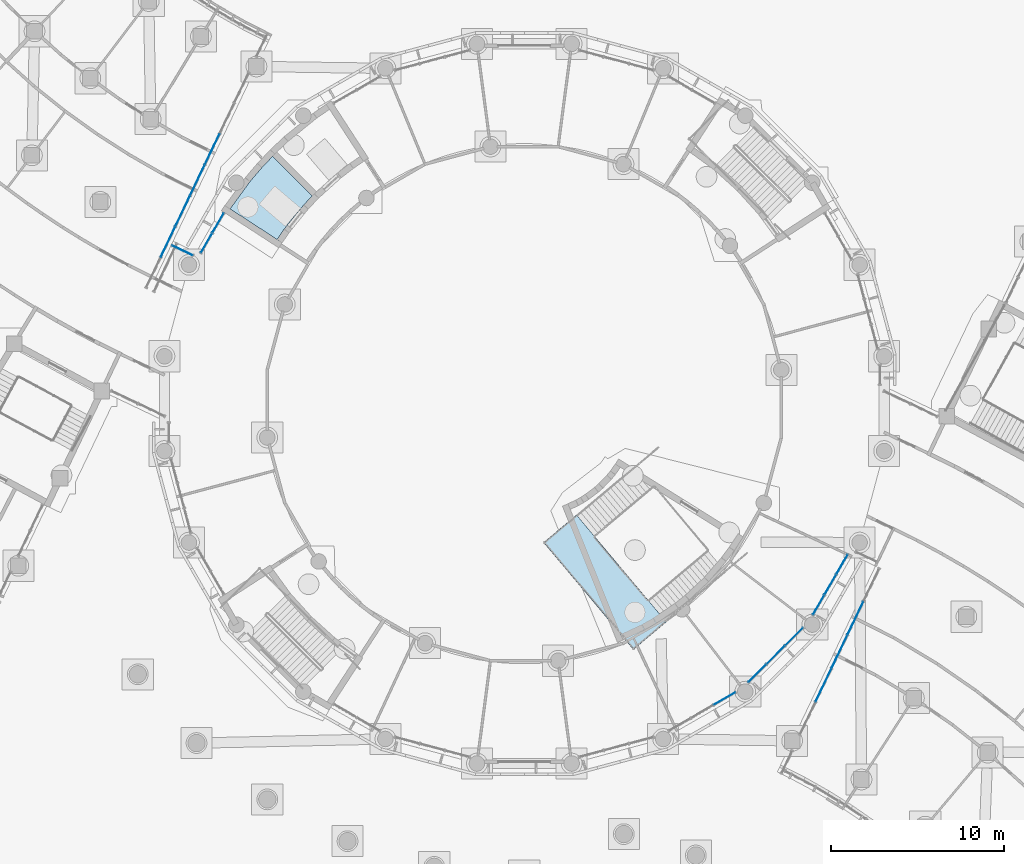
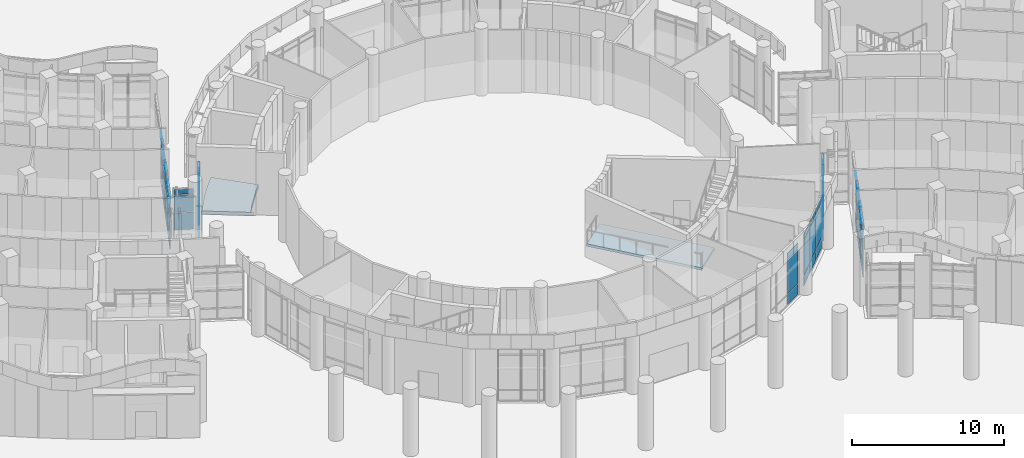
# One storey, part 42 of 146: 58 plates, 2 slabs, 8 elements without a shape of their own.
"""IFC4 building model written with IfcOpenShell, lengths in metres."""

from ifc_helpers import new_model, si_unit, direction, frame, origin, origin_2d, place, context, subcontext, project, spatial, polyline, rectangle, outline, extrude, material, layer, layer_set, type_object, element, aggregate, save


model = new_model("IFC4")

# Units and contexts
model_context = context("Model", 3, precision=1e-05, world=origin(), true_north=direction((0.0, 1.0)))
body_context = subcontext(model_context, "Body", "Model", "MODEL_VIEW")
ifc_project = project(units=[si_unit("LENGTHUNIT", "METRE"), si_unit("AREAUNIT", "SQUARE_METRE"), si_unit("VOLUMEUNIT", "CUBIC_METRE"), si_unit("PLANEANGLEUNIT", "RADIAN"), si_unit("MASSUNIT", "GRAM", prefix="KILO")], contexts=[model_context])

# Site, building, storey
site_placement = place(None, origin())
site = spatial("IfcSite", under=ifc_project, at=site_placement, CompositionType="ELEMENT")
building_placement = place(site_placement, origin())
building = spatial("IfcBuilding", under=site, at=building_placement, Name="Bougainvillea Quay General Hospital", CompositionType="ELEMENT")
storey_placement = place(building_placement, origin())
storey = spatial("IfcBuildingStorey", under=building, at=storey_placement, Name="L00", CompositionType="ELEMENT", Elevation=0.0)

# Curtain wall, plate
ifc_material_1 = material(Name="Aluminium curtain wall system, powder-coated glazed", Category="aluminium")
curtain_wall_type_1 = type_object("IfcCurtainWallType", Name="Unitised curtain wall CW-1422", PredefinedType="NOTDEFINED", material=ifc_material_1)
curtain_wall_1_placement = place(storey_placement, origin())
curtain_wall_1 = element("IfcCurtainWall", 1, at=curtain_wall_1_placement, inside=storey, type_object=curtain_wall_type_1, Name="CW-AE 00", PredefinedType="NOTDEFINED")
ifc_material_2 = material(Name="Insulated aluminium spandrel panel, white", Category="aluminium")
ifc_layer_1 = layer(ifc_material_2, 0.028076171875)
ifc_layer_set_1 = layer_set([ifc_layer_1], Name="Insulated aluminium spandrel panel, white")
plate_type_1 = type_object("IfcPlateType", Name="Insulated spandrel panel white 28", PredefinedType="CURTAIN_PANEL", material=ifc_layer_set_1)
plate_1_placement = place(storey_placement, frame((89.413818359375, 82.866455078125, 3.7802734375), z_axis=(0.0, 0.0, 1.0), x_axis=(-0.902574242771, 0.430534245195, 0.0)))
plate_1 = element("IfcPlate", 2, at=plate_1_placement, type_object=plate_type_1, Name="CW-AE spandrel panel 1.4", PredefinedType="CURTAIN_PANEL", context=body_context, shape_type="SweptSolid", body=[
    extrude(rectangle(XDim=1.301513671875, YDim=0.028076171875, at=origin_2d()), origin(), (0.0, 0.0, 1.0), 0.409912109375),
])

# Curtain wall, plates
curtain_wall_type_2 = type_object("IfcCurtainWallType", Name="Unitised curtain wall CW-1982", PredefinedType="NOTDEFINED", material=ifc_material_1)
curtain_wall_2_placement = place(storey_placement, origin())
curtain_wall_2 = element("IfcCurtainWall", 3, at=curtain_wall_2_placement, inside=storey, type_object=curtain_wall_type_2, Name="CW-AE 00", PredefinedType="NOTDEFINED")
plate_2_placement = place(storey_placement, frame((88.58203125, 83.35498046875, 0.06005859375), z_axis=(0.0, 0.0, 1.0), x_axis=(0.430563040838, 0.902560506484, 0.0)))
plate_2 = element("IfcPlate", 4, at=plate_2_placement, type_object=plate_type_1, Name="CW-AE spandrel panel 2.1", PredefinedType="CURTAIN_PANEL", context=body_context, shape_type="SweptSolid", body=[
    extrude(rectangle(XDim=1.92138671875, YDim=0.028076171875, at=origin_2d()), origin(), (0.0, 0.0, 1.0), 0.81005859375),
])
plate_3_placement = place(storey_placement, frame((88.58203125, 83.35498046875, 3.7802734375), z_axis=(0.0, 0.0, 1.0), x_axis=(0.430563040838, 0.902560506484, 0.0)))
plate_3 = element("IfcPlate", 5, at=plate_3_placement, type_object=plate_type_1, Name="CW-AE spandrel panel 2.4", PredefinedType="CURTAIN_PANEL", context=body_context, shape_type="SweptSolid", body=[
    extrude(rectangle(XDim=1.92138671875, YDim=0.028076171875, at=origin_2d()), origin(), (0.0, 0.0, 1.0), 0.409912109375),
])
plate_4_placement = place(storey_placement, frame((89.43505859375, 85.143310546875, 0.06005859375), z_axis=(0.0, 0.0, 1.0), x_axis=(0.430563040838, 0.902560506484, 0.0)))
plate_4 = element("IfcPlate", 6, at=plate_4_placement, type_object=plate_type_1, Name="CW-AE spandrel panel 3.1", PredefinedType="CURTAIN_PANEL", context=body_context, shape_type="SweptSolid", body=[
    extrude(rectangle(XDim=1.92138671875, YDim=0.028076171875, at=origin_2d()), origin(), (0.0, 0.0, 1.0), 0.81005859375),
])
plate_5_placement = place(storey_placement, frame((89.43505859375, 85.143310546875, 3.7802734375), z_axis=(0.0, 0.0, 1.0), x_axis=(0.430563040838, 0.902560506484, 0.0)))
plate_5 = element("IfcPlate", 7, at=plate_5_placement, type_object=plate_type_1, Name="CW-AE spandrel panel 3.4", PredefinedType="CURTAIN_PANEL", context=body_context, shape_type="SweptSolid", body=[
    extrude(rectangle(XDim=1.92138671875, YDim=0.028076171875, at=origin_2d()), origin(), (0.0, 0.0, 1.0), 0.409912109375),
])
plate_6_placement = place(storey_placement, frame((90.2880859375, 86.931640625, 0.06005859375), z_axis=(0.0, 0.0, 1.0), x_axis=(0.430563040838, 0.902560506484, 0.0)))
plate_6 = element("IfcPlate", 8, at=plate_6_placement, type_object=plate_type_1, Name="CW-AE spandrel panel 4.1", PredefinedType="CURTAIN_PANEL", context=body_context, shape_type="SweptSolid", body=[
    extrude(rectangle(XDim=1.92138671875, YDim=0.028076171875, at=origin_2d()), origin(), (0.0, 0.0, 1.0), 0.81005859375),
])
plate_7_placement = place(storey_placement, frame((90.2880859375, 86.931640625, 3.7802734375), z_axis=(0.0, 0.0, 1.0), x_axis=(0.430563040838, 0.902560506484, 0.0)))
plate_7 = element("IfcPlate", 9, at=plate_7_placement, type_object=plate_type_1, Name="CW-AE spandrel panel 4.4", PredefinedType="CURTAIN_PANEL", context=body_context, shape_type="SweptSolid", body=[
    extrude(rectangle(XDim=1.92138671875, YDim=0.028076171875, at=origin_2d()), origin(), (0.0, 0.0, 1.0), 0.409912109375),
])
plate_8_placement = place(storey_placement, frame((91.14111328125, 88.7197265625, 0.06005859375), z_axis=(0.0, 0.0, 1.0), x_axis=(0.430563040838, 0.902560506484, 0.0)))
plate_8 = element("IfcPlate", 10, at=plate_8_placement, type_object=plate_type_1, Name="CW-AE spandrel panel 5.1", PredefinedType="CURTAIN_PANEL", context=body_context, shape_type="SweptSolid", body=[
    extrude(rectangle(XDim=1.92138671875, YDim=0.028076171875, at=origin_2d()), origin(), (0.0, 0.0, 1.0), 0.81005859375),
])
plate_9_placement = place(storey_placement, frame((91.14111328125, 88.7197265625, 3.7802734375), z_axis=(0.0, 0.0, 1.0), x_axis=(0.430563040838, 0.902560506484, 0.0)))
plate_9 = element("IfcPlate", 11, at=plate_9_placement, type_object=plate_type_1, Name="CW-AE spandrel panel 5.4", PredefinedType="CURTAIN_PANEL", context=body_context, shape_type="SweptSolid", body=[
    extrude(rectangle(XDim=1.92138671875, YDim=0.028076171875, at=origin_2d()), origin(), (0.0, 0.0, 1.0), 0.409912109375),
])

curtain_wall_type_3 = type_object("IfcCurtainWallType", Name="Unitised curtain wall CW-2147", PredefinedType="NOTDEFINED", material=ifc_material_1)
curtain_wall_3_placement = place(storey_placement, origin())
curtain_wall_3 = element("IfcCurtainWall", 12, at=curtain_wall_3_placement, inside=storey, type_object=curtain_wall_type_3, Name="CW-AE 00", PredefinedType="NOTDEFINED")
plate_10_placement = place(storey_placement, frame((128.35986328125, 61.5888671875, 0.06005859375), z_axis=(0.0, 0.0, 1.0), x_axis=(-0.430530445105, -0.902576055431, 0.0)))
plate_10 = element("IfcPlate", 13, at=plate_10_placement, type_object=plate_type_1, Name="CW-AE spandrel panel 2.1", PredefinedType="CURTAIN_PANEL", context=body_context, shape_type="SweptSolid", body=[
    extrude(rectangle(XDim=2.0859375, YDim=0.028076171875, at=origin_2d()), origin(), (0.0, 0.0, 1.0), 0.81005859375),
])
plate_11_placement = place(storey_placement, frame((128.35986328125, 61.5888671875, 3.7802734375), z_axis=(0.0, 0.0, 1.0), x_axis=(-0.430530445105, -0.902576055431, 0.0)))
plate_11 = element("IfcPlate", 14, at=plate_11_placement, type_object=plate_type_1, Name="CW-AE spandrel panel 2.4", PredefinedType="CURTAIN_PANEL", context=body_context, shape_type="SweptSolid", body=[
    extrude(rectangle(XDim=2.0859375, YDim=0.028076171875, at=origin_2d()), origin(), (0.0, 0.0, 1.0), 0.409912109375),
])
plate_12_placement = place(storey_placement, frame((127.435791015625, 59.65185546875, 0.06005859375), z_axis=(0.0, 0.0, 1.0), x_axis=(-0.430530445105, -0.902576055431, 0.0)))
plate_12 = element("IfcPlate", 15, at=plate_12_placement, type_object=plate_type_1, Name="CW-AE spandrel panel 3.1", PredefinedType="CURTAIN_PANEL", context=body_context, shape_type="SweptSolid", body=[
    extrude(rectangle(XDim=2.0859375, YDim=0.028076171875, at=origin_2d()), origin(), (0.0, 0.0, 1.0), 0.81005859375),
])
plate_13_placement = place(storey_placement, frame((127.435791015625, 59.65185546875, 3.7802734375), z_axis=(0.0, 0.0, 1.0), x_axis=(-0.430530445105, -0.902576055431, 0.0)))
plate_13 = element("IfcPlate", 16, at=plate_13_placement, type_object=plate_type_1, Name="CW-AE spandrel panel 3.4", PredefinedType="CURTAIN_PANEL", context=body_context, shape_type="SweptSolid", body=[
    extrude(rectangle(XDim=2.0859375, YDim=0.028076171875, at=origin_2d()), origin(), (0.0, 0.0, 1.0), 0.409912109375),
])
plate_14_placement = place(storey_placement, frame((126.511962890625, 57.715087890625, 0.06005859375), z_axis=(0.0, 0.0, 1.0), x_axis=(-0.430530445105, -0.902576055431, 0.0)))
plate_14 = element("IfcPlate", 17, at=plate_14_placement, type_object=plate_type_1, Name="CW-AE spandrel panel 4.1", PredefinedType="CURTAIN_PANEL", context=body_context, shape_type="SweptSolid", body=[
    extrude(rectangle(XDim=2.0859375, YDim=0.028076171875, at=origin_2d()), origin(), (0.0, 0.0, 1.0), 0.81005859375),
])
plate_15_placement = place(storey_placement, frame((126.511962890625, 57.715087890625, 3.7802734375), z_axis=(0.0, 0.0, 1.0), x_axis=(-0.430530445105, -0.902576055431, 0.0)))
plate_15 = element("IfcPlate", 18, at=plate_15_placement, type_object=plate_type_1, Name="CW-AE spandrel panel 4.4", PredefinedType="CURTAIN_PANEL", context=body_context, shape_type="SweptSolid", body=[
    extrude(rectangle(XDim=2.0859375, YDim=0.028076171875, at=origin_2d()), origin(), (0.0, 0.0, 1.0), 0.409912109375),
])

curtain_wall_type_4 = type_object("IfcCurtainWallType", Name="Unitised curtain wall CW-1372", PredefinedType="NOTDEFINED", material=ifc_material_1)
curtain_wall_4_placement = place(storey_placement, origin())
curtain_wall_4 = element("IfcCurtainWall", 19, at=curtain_wall_4_placement, inside=storey, type_object=curtain_wall_type_4, Name="CW-D 00", PredefinedType="NOTDEFINED")
plate_16_placement = place(storey_placement, frame((91.48486328125, 84.456298828125, 0.06005859375), z_axis=(0.0, 0.0, 1.0), x_axis=(-0.499961526253, -0.866047615473, 0.0)))
plate_16 = element("IfcPlate", 20, at=plate_16_placement, type_object=plate_type_1, Name="CW-D spandrel panel 1.1", PredefinedType="CURTAIN_PANEL", context=body_context, shape_type="SweptSolid", body=[
    extrude(rectangle(XDim=1.281982421875, YDim=0.028076171875, at=origin_2d()), origin(), (0.0, 0.0, 1.0), 0.81005859375),
])
plate_17_placement = place(storey_placement, frame((91.48486328125, 84.456298828125, 3.7802734375), z_axis=(0.0, 0.0, 1.0), x_axis=(-0.499961526253, -0.866047615473, 0.0)))
plate_17 = element("IfcPlate", 21, at=plate_17_placement, type_object=plate_type_1, Name="CW-D spandrel panel 1.3", PredefinedType="CURTAIN_PANEL", context=body_context, shape_type="SweptSolid", body=[
    extrude(rectangle(XDim=1.281982421875, YDim=0.028076171875, at=origin_2d()), origin(), (0.0, 0.0, 1.0), 0.409912109375),
])
plate_18_placement = place(storey_placement, frame((90.81396484375, 83.294189453125, 0.06005859375), z_axis=(0.0, 0.0, 1.0), x_axis=(-0.499961526253, -0.866047615473, 0.0)))
plate_18 = element("IfcPlate", 22, at=plate_18_placement, type_object=plate_type_1, Name="CW-D spandrel panel 2.1", PredefinedType="CURTAIN_PANEL", context=body_context, shape_type="SweptSolid", body=[
    extrude(rectangle(XDim=1.281982421875, YDim=0.028076171875, at=origin_2d()), origin(), (0.0, 0.0, 1.0), 0.81005859375),
])
plate_19_placement = place(storey_placement, frame((90.81396484375, 83.294189453125, 3.7802734375), z_axis=(0.0, 0.0, 1.0), x_axis=(-0.499961526253, -0.866047615473, 0.0)))
plate_19 = element("IfcPlate", 23, at=plate_19_placement, type_object=plate_type_1, Name="CW-D spandrel panel 2.3", PredefinedType="CURTAIN_PANEL", context=body_context, shape_type="SweptSolid", body=[
    extrude(rectangle(XDim=1.281982421875, YDim=0.028076171875, at=origin_2d()), origin(), (0.0, 0.0, 1.0), 0.409912109375),
])

curtain_wall_type_5 = type_object("IfcCurtainWallType", Name="Unitised curtain wall CW-1515", PredefinedType="NOTDEFINED", material=ifc_material_1)
curtain_wall_5_placement = place(storey_placement, origin())
curtain_wall_5 = element("IfcCurtainWall", 24, at=curtain_wall_5_placement, inside=storey, type_object=curtain_wall_type_5, Name="CW-D 00", PredefinedType="NOTDEFINED")
plate_20_placement = place(storey_placement, frame((120.783203125, 56.935546875, 0.06005859375), z_axis=(0.0, 0.0, 1.0), x_axis=(0.866045865692, 0.499964557262, 0.0)))
plate_20 = element("IfcPlate", 25, at=plate_20_placement, type_object=plate_type_1, Name="CW-D spandrel panel 3.1", PredefinedType="CURTAIN_PANEL", context=body_context, shape_type="SweptSolid", body=[
    extrude(rectangle(XDim=1.424072265625, YDim=0.028076171875, at=origin_2d()), origin(), (0.0, 0.0, 1.0), 0.81005859375),
])
plate_21_placement = place(storey_placement, frame((120.783203125, 56.935546875, 3.7802734375), z_axis=(0.0, 0.0, 1.0), x_axis=(0.866045865692, 0.499964557262, 0.0)))
plate_21 = element("IfcPlate", 26, at=plate_21_placement, type_object=plate_type_1, Name="CW-D spandrel panel 3.3", PredefinedType="CURTAIN_PANEL", context=body_context, shape_type="SweptSolid", body=[
    extrude(rectangle(XDim=1.424072265625, YDim=0.028076171875, at=origin_2d()), origin(), (0.0, 0.0, 1.0), 0.409912109375),
])

curtain_wall_type_6 = type_object("IfcCurtainWallType", Name="Unitised curtain wall CW-1514", PredefinedType="NOTDEFINED", material=ifc_material_1)
curtain_wall_6_placement = place(storey_placement, origin())
curtain_wall_6 = element("IfcCurtainWall", 27, at=curtain_wall_6_placement, inside=storey, type_object=curtain_wall_type_6, Name="CW-D 00", PredefinedType="NOTDEFINED")
plate_22_placement = place(storey_placement, frame((122.685302734375, 58.39501953125, 0.06005859375), z_axis=(0.0, 0.0, 1.0), x_axis=(0.707106781187, 0.707106781187, 0.0)))
plate_22 = element("IfcPlate", 28, at=plate_22_placement, type_object=plate_type_1, Name="CW-D spandrel panel 1.1", PredefinedType="CURTAIN_PANEL", context=body_context, shape_type="SweptSolid", body=[
    extrude(rectangle(XDim=1.423828125, YDim=0.028076171875, at=origin_2d()), origin(), (0.0, 0.0, 1.0), 0.81005859375),
])
plate_23_placement = place(storey_placement, frame((122.685302734375, 58.39501953125, 3.7802734375), z_axis=(0.0, 0.0, 1.0), x_axis=(0.707106781187, 0.707106781187, 0.0)))
plate_23 = element("IfcPlate", 29, at=plate_23_placement, type_object=plate_type_1, Name="CW-D spandrel panel 1.3", PredefinedType="CURTAIN_PANEL", context=body_context, shape_type="SweptSolid", body=[
    extrude(rectangle(XDim=1.423828125, YDim=0.028076171875, at=origin_2d()), origin(), (0.0, 0.0, 1.0), 0.409912109375),
])
plate_24_placement = place(storey_placement, frame((123.7451171875, 59.454833984375, 0.06005859375), z_axis=(0.0, 0.0, 1.0), x_axis=(0.707106781187, 0.707106781187, 0.0)))
plate_24 = element("IfcPlate", 30, at=plate_24_placement, type_object=plate_type_1, Name="CW-D spandrel panel 2.1", PredefinedType="CURTAIN_PANEL", context=body_context, shape_type="SweptSolid", body=[
    extrude(rectangle(XDim=1.453857421875, YDim=0.028076171875, at=origin_2d()), origin(), (0.0, 0.0, 1.0), 0.81005859375),
])
plate_25_placement = place(storey_placement, frame((123.7451171875, 59.454833984375, 3.7802734375), z_axis=(0.0, 0.0, 1.0), x_axis=(0.707106781187, 0.707106781187, 0.0)))
plate_25 = element("IfcPlate", 31, at=plate_25_placement, type_object=plate_type_1, Name="CW-D spandrel panel 2.3", PredefinedType="CURTAIN_PANEL", context=body_context, shape_type="SweptSolid", body=[
    extrude(rectangle(XDim=1.453857421875, YDim=0.028076171875, at=origin_2d()), origin(), (0.0, 0.0, 1.0), 0.409912109375),
])
plate_26_placement = place(storey_placement, frame((124.80517578125, 60.5146484375, 0.06005859375), z_axis=(0.0, 0.0, 1.0), x_axis=(0.707106781187, 0.707106781187, 0.0)))
plate_26 = element("IfcPlate", 32, at=plate_26_placement, type_object=plate_type_1, Name="CW-D spandrel panel 3.1", PredefinedType="CURTAIN_PANEL", context=body_context, shape_type="SweptSolid", body=[
    extrude(rectangle(XDim=1.423828125, YDim=0.028076171875, at=origin_2d()), origin(), (0.0, 0.0, 1.0), 0.81005859375),
])
plate_27_placement = place(storey_placement, frame((124.80517578125, 60.5146484375, 3.7802734375), z_axis=(0.0, 0.0, 1.0), x_axis=(0.707106781187, 0.707106781187, 0.0)))
plate_27 = element("IfcPlate", 33, at=plate_27_placement, type_object=plate_type_1, Name="CW-D spandrel panel 3.3", PredefinedType="CURTAIN_PANEL", context=body_context, shape_type="SweptSolid", body=[
    extrude(rectangle(XDim=1.423828125, YDim=0.028076171875, at=origin_2d()), origin(), (0.0, 0.0, 1.0), 0.409912109375),
])

curtain_wall_type_7 = type_object("IfcCurtainWallType", Name="Unitised curtain wall CW-1373", PredefinedType="NOTDEFINED", material=ifc_material_1)
curtain_wall_7_placement = place(storey_placement, origin())
curtain_wall_7 = element("IfcCurtainWall", 34, at=curtain_wall_7_placement, inside=storey, type_object=curtain_wall_type_7, Name="CW-D 00", PredefinedType="NOTDEFINED")
plate_28_placement = place(storey_placement, frame((126.22900390625, 62.355224609375, 0.06005859375), z_axis=(0.0, 0.0, 1.0), x_axis=(0.499961526253, 0.866047615473, 0.0)))
plate_28 = element("IfcPlate", 35, at=plate_28_placement, type_object=plate_type_1, Name="CW-D spandrel panel 1.1", PredefinedType="CURTAIN_PANEL", context=body_context, shape_type="SweptSolid", body=[
    extrude(rectangle(XDim=1.2822265625, YDim=0.028076171875, at=origin_2d()), origin(), (0.0, 0.0, 1.0), 0.81005859375),
])
plate_29_placement = place(storey_placement, frame((126.22900390625, 62.355224609375, 3.7802734375), z_axis=(0.0, 0.0, 1.0), x_axis=(0.499961526253, 0.866047615473, 0.0)))
plate_29 = element("IfcPlate", 36, at=plate_29_placement, type_object=plate_type_1, Name="CW-D spandrel panel 1.3", PredefinedType="CURTAIN_PANEL", context=body_context, shape_type="SweptSolid", body=[
    extrude(rectangle(XDim=1.2822265625, YDim=0.028076171875, at=origin_2d()), origin(), (0.0, 0.0, 1.0), 0.409912109375),
])
plate_30_placement = place(storey_placement, frame((126.907470703125, 63.530517578125, 0.06005859375), z_axis=(0.0, 0.0, 1.0), x_axis=(0.499961526253, 0.866047615473, 0.0)))
plate_30 = element("IfcPlate", 37, at=plate_30_placement, type_object=plate_type_1, Name="CW-D spandrel panel 2.1", PredefinedType="CURTAIN_PANEL", context=body_context, shape_type="SweptSolid", body=[
    extrude(rectangle(XDim=1.31201171875, YDim=0.028076171875, at=origin_2d()), origin(), (0.0, 0.0, 1.0), 0.81005859375),
])
plate_31_placement = place(storey_placement, frame((126.907470703125, 63.530517578125, 3.7802734375), z_axis=(0.0, 0.0, 1.0), x_axis=(0.499961526253, 0.866047615473, 0.0)))
plate_31 = element("IfcPlate", 38, at=plate_31_placement, type_object=plate_type_1, Name="CW-D spandrel panel 2.3", PredefinedType="CURTAIN_PANEL", context=body_context, shape_type="SweptSolid", body=[
    extrude(rectangle(XDim=1.31201171875, YDim=0.028076171875, at=origin_2d()), origin(), (0.0, 0.0, 1.0), 0.409912109375),
])
plate_32_placement = place(storey_placement, frame((127.5859375, 64.705810546875, 0.06005859375), z_axis=(0.0, 0.0, 1.0), x_axis=(0.499961526253, 0.866047615473, 0.0)))
plate_32 = element("IfcPlate", 39, at=plate_32_placement, type_object=plate_type_1, Name="CW-D spandrel panel 3.1", PredefinedType="CURTAIN_PANEL", context=body_context, shape_type="SweptSolid", body=[
    extrude(rectangle(XDim=1.2822265625, YDim=0.028076171875, at=origin_2d()), origin(), (0.0, 0.0, 1.0), 0.81005859375),
])
plate_33_placement = place(storey_placement, frame((127.5859375, 64.705810546875, 3.7802734375), z_axis=(0.0, 0.0, 1.0), x_axis=(0.499961526253, 0.866047615473, 0.0)))
plate_33 = element("IfcPlate", 40, at=plate_33_placement, type_object=plate_type_1, Name="CW-D spandrel panel 3.3", PredefinedType="CURTAIN_PANEL", context=body_context, shape_type="SweptSolid", body=[
    extrude(rectangle(XDim=1.2822265625, YDim=0.028076171875, at=origin_2d()), origin(), (0.0, 0.0, 1.0), 0.409912109375),
])

# Plate
ifc_material_3 = material(Name="Low-e laminated glass, solar control", Category="glass")
ifc_layer_2 = layer(ifc_material_3, 0.028076171875)
ifc_layer_set_2 = layer_set([ifc_layer_2], Name="Low-e laminated glass, solar control")
plate_type_2 = type_object("IfcPlateType", Name="Low-e laminated vision glass 28", PredefinedType="CURTAIN_PANEL", material=ifc_layer_set_2)
plate_34_placement = place(storey_placement, frame((89.413818359375, 82.866455078125, 0.93017578125), z_axis=(0.0, 0.0, 1.0), x_axis=(-0.902574242771, 0.430534245195, 0.0)))
plate_34 = element("IfcPlate", 41, at=plate_34_placement, type_object=plate_type_2, Name="CW-AE vision glass panel 1.2", PredefinedType="CURTAIN_PANEL", context=body_context, shape_type="SweptSolid", body=[
    extrude(rectangle(XDim=1.301513671875, YDim=0.028076171875, at=origin_2d()), origin(), (0.0, 0.0, 1.0), 1.364990234375),
])

plate_35_placement = place(storey_placement, frame((89.413818359375, 82.866455078125, 2.35498046875), z_axis=(0.0, 0.0, 1.0), x_axis=(-0.902574242771, 0.430534245195, 0.0)))
plate_35 = element("IfcPlate", 42, at=plate_35_placement, type_object=plate_type_2, Name="CW-AE vision glass panel 1.3", PredefinedType="CURTAIN_PANEL", context=body_context, shape_type="SweptSolid", body=[
    extrude(rectangle(XDim=1.301513671875, YDim=0.028076171875, at=origin_2d()), origin(), (0.0, 0.0, 1.0), 1.364990234375),
])

aggregate(curtain_wall_1, [plate_34, plate_35, plate_1])

plate_36_placement = place(storey_placement, frame((88.58203125, 83.35498046875, 0.93017578125), z_axis=(0.0, 0.0, 1.0), x_axis=(0.430563040838, 0.902560506484, 0.0)))
plate_36 = element("IfcPlate", 43, at=plate_36_placement, type_object=plate_type_2, Name="CW-AE vision glass panel 2.2", PredefinedType="CURTAIN_PANEL", context=body_context, shape_type="SweptSolid", body=[
    extrude(rectangle(XDim=1.92138671875, YDim=0.028076171875, at=origin_2d()), origin(), (0.0, 0.0, 1.0), 1.364990234375),
])

plate_37_placement = place(storey_placement, frame((88.58203125, 83.35498046875, 2.35498046875), z_axis=(0.0, 0.0, 1.0), x_axis=(0.430563040838, 0.902560506484, 0.0)))
plate_37 = element("IfcPlate", 44, at=plate_37_placement, type_object=plate_type_2, Name="CW-AE vision glass panel 2.3", PredefinedType="CURTAIN_PANEL", context=body_context, shape_type="SweptSolid", body=[
    extrude(rectangle(XDim=1.92138671875, YDim=0.028076171875, at=origin_2d()), origin(), (0.0, 0.0, 1.0), 1.364990234375),
])

plate_38_placement = place(storey_placement, frame((89.43505859375, 85.143310546875, 0.93017578125), z_axis=(0.0, 0.0, 1.0), x_axis=(0.430563040838, 0.902560506484, 0.0)))
plate_38 = element("IfcPlate", 45, at=plate_38_placement, type_object=plate_type_2, Name="CW-AE vision glass panel 3.2", PredefinedType="CURTAIN_PANEL", context=body_context, shape_type="SweptSolid", body=[
    extrude(rectangle(XDim=1.92138671875, YDim=0.028076171875, at=origin_2d()), origin(), (0.0, 0.0, 1.0), 1.364990234375),
])

plate_39_placement = place(storey_placement, frame((89.43505859375, 85.143310546875, 2.35498046875), z_axis=(0.0, 0.0, 1.0), x_axis=(0.430563040838, 0.902560506484, 0.0)))
plate_39 = element("IfcPlate", 46, at=plate_39_placement, type_object=plate_type_2, Name="CW-AE vision glass panel 3.3", PredefinedType="CURTAIN_PANEL", context=body_context, shape_type="SweptSolid", body=[
    extrude(rectangle(XDim=1.92138671875, YDim=0.028076171875, at=origin_2d()), origin(), (0.0, 0.0, 1.0), 1.364990234375),
])

plate_40_placement = place(storey_placement, frame((90.2880859375, 86.931640625, 0.93017578125), z_axis=(0.0, 0.0, 1.0), x_axis=(0.430563040838, 0.902560506484, 0.0)))
plate_40 = element("IfcPlate", 47, at=plate_40_placement, type_object=plate_type_2, Name="CW-AE vision glass panel 4.2", PredefinedType="CURTAIN_PANEL", context=body_context, shape_type="SweptSolid", body=[
    extrude(rectangle(XDim=1.92138671875, YDim=0.028076171875, at=origin_2d()), origin(), (0.0, 0.0, 1.0), 1.364990234375),
])

plate_41_placement = place(storey_placement, frame((90.2880859375, 86.931640625, 2.35498046875), z_axis=(0.0, 0.0, 1.0), x_axis=(0.430563040838, 0.902560506484, 0.0)))
plate_41 = element("IfcPlate", 48, at=plate_41_placement, type_object=plate_type_2, Name="CW-AE vision glass panel 4.3", PredefinedType="CURTAIN_PANEL", context=body_context, shape_type="SweptSolid", body=[
    extrude(rectangle(XDim=1.92138671875, YDim=0.028076171875, at=origin_2d()), origin(), (0.0, 0.0, 1.0), 1.364990234375),
])

plate_42_placement = place(storey_placement, frame((91.14111328125, 88.7197265625, 0.93017578125), z_axis=(0.0, 0.0, 1.0), x_axis=(0.430563040838, 0.902560506484, 0.0)))
plate_42 = element("IfcPlate", 49, at=plate_42_placement, type_object=plate_type_2, Name="CW-AE vision glass panel 5.2", PredefinedType="CURTAIN_PANEL", context=body_context, shape_type="SweptSolid", body=[
    extrude(rectangle(XDim=1.92138671875, YDim=0.028076171875, at=origin_2d()), origin(), (0.0, 0.0, 1.0), 1.364990234375),
])

plate_43_placement = place(storey_placement, frame((91.14111328125, 88.7197265625, 2.35498046875), z_axis=(0.0, 0.0, 1.0), x_axis=(0.430563040838, 0.902560506484, 0.0)))
plate_43 = element("IfcPlate", 50, at=plate_43_placement, type_object=plate_type_2, Name="CW-AE vision glass panel 5.3", PredefinedType="CURTAIN_PANEL", context=body_context, shape_type="SweptSolid", body=[
    extrude(rectangle(XDim=1.92138671875, YDim=0.028076171875, at=origin_2d()), origin(), (0.0, 0.0, 1.0), 1.364990234375),
])

aggregate(curtain_wall_2, [plate_2, plate_36, plate_37, plate_3, plate_4, plate_38, plate_39, plate_5, plate_6, plate_40, plate_41, plate_7, plate_8, plate_42, plate_43, plate_9])

plate_44_placement = place(storey_placement, frame((128.35986328125, 61.5888671875, 0.93017578125), z_axis=(0.0, 0.0, 1.0), x_axis=(-0.430530445105, -0.902576055431, 0.0)))
plate_44 = element("IfcPlate", 51, at=plate_44_placement, type_object=plate_type_2, Name="CW-AE vision glass panel 2.2", PredefinedType="CURTAIN_PANEL", context=body_context, shape_type="SweptSolid", body=[
    extrude(rectangle(XDim=2.0859375, YDim=0.028076171875, at=origin_2d()), origin(), (0.0, 0.0, 1.0), 1.364990234375),
])

plate_45_placement = place(storey_placement, frame((128.35986328125, 61.5888671875, 2.35498046875), z_axis=(0.0, 0.0, 1.0), x_axis=(-0.430530445105, -0.902576055431, 0.0)))
plate_45 = element("IfcPlate", 52, at=plate_45_placement, type_object=plate_type_2, Name="CW-AE vision glass panel 2.3", PredefinedType="CURTAIN_PANEL", context=body_context, shape_type="SweptSolid", body=[
    extrude(rectangle(XDim=2.0859375, YDim=0.028076171875, at=origin_2d()), origin(), (0.0, 0.0, 1.0), 1.364990234375),
])

plate_46_placement = place(storey_placement, frame((127.435791015625, 59.65185546875, 0.93017578125), z_axis=(0.0, 0.0, 1.0), x_axis=(-0.430530445105, -0.902576055431, 0.0)))
plate_46 = element("IfcPlate", 53, at=plate_46_placement, type_object=plate_type_2, Name="CW-AE vision glass panel 3.2", PredefinedType="CURTAIN_PANEL", context=body_context, shape_type="SweptSolid", body=[
    extrude(rectangle(XDim=2.0859375, YDim=0.028076171875, at=origin_2d()), origin(), (0.0, 0.0, 1.0), 1.364990234375),
])

plate_47_placement = place(storey_placement, frame((127.435791015625, 59.65185546875, 2.35498046875), z_axis=(0.0, 0.0, 1.0), x_axis=(-0.430530445105, -0.902576055431, 0.0)))
plate_47 = element("IfcPlate", 54, at=plate_47_placement, type_object=plate_type_2, Name="CW-AE vision glass panel 3.3", PredefinedType="CURTAIN_PANEL", context=body_context, shape_type="SweptSolid", body=[
    extrude(rectangle(XDim=2.0859375, YDim=0.028076171875, at=origin_2d()), origin(), (0.0, 0.0, 1.0), 1.364990234375),
])

plate_48_placement = place(storey_placement, frame((126.511962890625, 57.715087890625, 0.93017578125), z_axis=(0.0, 0.0, 1.0), x_axis=(-0.430530445105, -0.902576055431, 0.0)))
plate_48 = element("IfcPlate", 55, at=plate_48_placement, type_object=plate_type_2, Name="CW-AE vision glass panel 4.2", PredefinedType="CURTAIN_PANEL", context=body_context, shape_type="SweptSolid", body=[
    extrude(rectangle(XDim=2.0859375, YDim=0.028076171875, at=origin_2d()), origin(), (0.0, 0.0, 1.0), 1.364990234375),
])

plate_49_placement = place(storey_placement, frame((126.511962890625, 57.715087890625, 2.35498046875), z_axis=(0.0, 0.0, 1.0), x_axis=(-0.430530445105, -0.902576055431, 0.0)))
plate_49 = element("IfcPlate", 56, at=plate_49_placement, type_object=plate_type_2, Name="CW-AE vision glass panel 4.3", PredefinedType="CURTAIN_PANEL", context=body_context, shape_type="SweptSolid", body=[
    extrude(rectangle(XDim=2.0859375, YDim=0.028076171875, at=origin_2d()), origin(), (0.0, 0.0, 1.0), 1.364990234375),
])

aggregate(curtain_wall_3, [plate_10, plate_44, plate_45, plate_11, plate_12, plate_46, plate_47, plate_13, plate_14, plate_48, plate_49, plate_15])

plate_50_placement = place(storey_placement, frame((91.48486328125, 84.456298828125, 0.929931640625), z_axis=(0.0, 0.0, 1.0), x_axis=(-0.499961526253, -0.866047615473, 0.0)))
plate_50 = element("IfcPlate", 57, at=plate_50_placement, type_object=plate_type_2, Name="CW-D vision glass panel 1.2", PredefinedType="CURTAIN_PANEL", context=body_context, shape_type="SweptSolid", body=[
    extrude(rectangle(XDim=1.281982421875, YDim=0.028076171875, at=origin_2d()), origin(), (0.0, 0.0, 1.0), 2.7900390625),
])

plate_51_placement = place(storey_placement, frame((90.81396484375, 83.294189453125, 0.929931640625), z_axis=(0.0, 0.0, 1.0), x_axis=(-0.499961526253, -0.866047615473, 0.0)))
plate_51 = element("IfcPlate", 58, at=plate_51_placement, type_object=plate_type_2, Name="CW-D vision glass panel 2.2", PredefinedType="CURTAIN_PANEL", context=body_context, shape_type="SweptSolid", body=[
    extrude(rectangle(XDim=1.281982421875, YDim=0.028076171875, at=origin_2d()), origin(), (0.0, 0.0, 1.0), 2.7900390625),
])

aggregate(curtain_wall_4, [plate_16, plate_50, plate_17, plate_18, plate_51, plate_19])

plate_52_placement = place(storey_placement, frame((120.783203125, 56.935546875, 0.929931640625), z_axis=(0.0, 0.0, 1.0), x_axis=(0.866045865692, 0.499964557262, 0.0)))
plate_52 = element("IfcPlate", 59, at=plate_52_placement, type_object=plate_type_2, Name="CW-D vision glass panel 3.2", PredefinedType="CURTAIN_PANEL", context=body_context, shape_type="SweptSolid", body=[
    extrude(rectangle(XDim=1.424072265625, YDim=0.028076171875, at=origin_2d()), origin(), (0.0, 0.0, 1.0), 2.7900390625),
])

aggregate(curtain_wall_5, [plate_20, plate_52, plate_21])

plate_53_placement = place(storey_placement, frame((122.685302734375, 58.39501953125, 0.929931640625), z_axis=(0.0, 0.0, 1.0), x_axis=(0.707106781187, 0.707106781187, 0.0)))
plate_53 = element("IfcPlate", 60, at=plate_53_placement, type_object=plate_type_2, Name="CW-D vision glass panel 1.2", PredefinedType="CURTAIN_PANEL", context=body_context, shape_type="SweptSolid", body=[
    extrude(rectangle(XDim=1.423828125, YDim=0.028076171875, at=origin_2d()), origin(), (0.0, 0.0, 1.0), 2.7900390625),
])

plate_54_placement = place(storey_placement, frame((123.7451171875, 59.454833984375, 0.929931640625), z_axis=(0.0, 0.0, 1.0), x_axis=(0.707106781187, 0.707106781187, 0.0)))
plate_54 = element("IfcPlate", 61, at=plate_54_placement, type_object=plate_type_2, Name="CW-D vision glass panel 2.2", PredefinedType="CURTAIN_PANEL", context=body_context, shape_type="SweptSolid", body=[
    extrude(rectangle(XDim=1.453857421875, YDim=0.028076171875, at=origin_2d()), origin(), (0.0, 0.0, 1.0), 2.7900390625),
])

plate_55_placement = place(storey_placement, frame((124.80517578125, 60.5146484375, 0.929931640625), z_axis=(0.0, 0.0, 1.0), x_axis=(0.707106781187, 0.707106781187, 0.0)))
plate_55 = element("IfcPlate", 62, at=plate_55_placement, type_object=plate_type_2, Name="CW-D vision glass panel 3.2", PredefinedType="CURTAIN_PANEL", context=body_context, shape_type="SweptSolid", body=[
    extrude(rectangle(XDim=1.423828125, YDim=0.028076171875, at=origin_2d()), origin(), (0.0, 0.0, 1.0), 2.7900390625),
])

aggregate(curtain_wall_6, [plate_22, plate_53, plate_23, plate_24, plate_54, plate_25, plate_26, plate_55, plate_27])

plate_56_placement = place(storey_placement, frame((126.22900390625, 62.355224609375, 0.929931640625), z_axis=(0.0, 0.0, 1.0), x_axis=(0.499961526253, 0.866047615473, 0.0)))
plate_56 = element("IfcPlate", 63, at=plate_56_placement, type_object=plate_type_2, Name="CW-D vision glass panel 1.2", PredefinedType="CURTAIN_PANEL", context=body_context, shape_type="SweptSolid", body=[
    extrude(rectangle(XDim=1.2822265625, YDim=0.028076171875, at=origin_2d()), origin(), (0.0, 0.0, 1.0), 2.7900390625),
])

plate_57_placement = place(storey_placement, frame((126.907470703125, 63.530517578125, 0.929931640625), z_axis=(0.0, 0.0, 1.0), x_axis=(0.499961526253, 0.866047615473, 0.0)))
plate_57 = element("IfcPlate", 64, at=plate_57_placement, type_object=plate_type_2, Name="CW-D vision glass panel 2.2", PredefinedType="CURTAIN_PANEL", context=body_context, shape_type="SweptSolid", body=[
    extrude(rectangle(XDim=1.31201171875, YDim=0.028076171875, at=origin_2d()), origin(), (0.0, 0.0, 1.0), 2.7900390625),
])

plate_58_placement = place(storey_placement, frame((127.5859375, 64.705810546875, 0.929931640625), z_axis=(0.0, 0.0, 1.0), x_axis=(0.499961526253, 0.866047615473, 0.0)))
plate_58 = element("IfcPlate", 65, at=plate_58_placement, type_object=plate_type_2, Name="CW-D vision glass panel 3.2", PredefinedType="CURTAIN_PANEL", context=body_context, shape_type="SweptSolid", body=[
    extrude(rectangle(XDim=1.2822265625, YDim=0.028076171875, at=origin_2d()), origin(), (0.0, 0.0, 1.0), 2.7900390625),
])

aggregate(curtain_wall_7, [plate_28, plate_56, plate_29, plate_30, plate_57, plate_31, plate_32, plate_58, plate_33])

# Slab
ifc_material_4 = material(Name="Concrete C35", Category="concrete")
ifc_layer_3 = layer(ifc_material_4, 0.300048828125)
ifc_layer_set_3 = layer_set([ifc_layer_3], Name="Concrete C35")
slab_type_1 = type_object("IfcSlabType", Name="RC FLAT SLAB 300 C35 GROUND", PredefinedType="BASESLAB", material=ifc_layer_set_3)
slab_1_placement = place(storey_placement, frame((0.0, 0.0, -0.300048828125)))
element("IfcSlab", 66, at=slab_1_placement, inside=storey, type_object=slab_type_1, Name="Slab S1 L00", PredefinedType="BASESLAB", context=body_context, shape_type="SweptSolid", body=[
    extrude(outline(polyline([(96.444580078125, 85.501220703125), (96.93115234375, 86.0205078125), (94.63720703125, 88.3154296875), (94.021484375, 87.66650390625), (93.3291015625, 86.855224609375), (92.173095703125, 85.266357421875), (95.040283203125, 83.404541015625), (94.89794921875, 83.50244140625), (95.298095703125, 84.085205078125), (95.305908203125, 84.097412109375), (95.315185546875, 84.1083984375), (96.42578125, 85.479736328125), (96.4345703125, 85.490966796875), (96.444580078125, 85.501220703125)])), origin(), (0.0, 0.0, 1.0), 0.300048828125),
])

# Stair, slab
stair_type = type_object("IfcStairType", Name="Stair half-turn 1650 wide", PredefinedType="HALF_TURN_STAIR", material=ifc_material_4)
stair_placement = place(storey_placement, origin())
stair = element("IfcStair", 67, at=stair_placement, inside=storey, type_object=stair_type, Name="L00 stair ST-H3", PredefinedType="HALF_TURN_STAIR")
ifc_layer_4 = layer(ifc_material_4, 0.199951171875)
ifc_layer_set_4 = layer_set([ifc_layer_4], Name="Concrete C35")
slab_type_2 = type_object("IfcSlabType", Name="Stair landing 200", PredefinedType="LANDING", material=ifc_layer_set_4)
slab_2_placement = place(storey_placement, frame((0.0, 0.0, 2.5)))
slab_2 = element("IfcSlab", 68, at=slab_2_placement, type_object=slab_type_2, Name="ST-H3 landing 1", PredefinedType="LANDING", context=body_context, shape_type="SweptSolid", body=[
    extrude(outline(polyline([(112.2216796875, 67.55908203125), (110.322265625, 65.964599609375), (115.515380859375, 59.77783203125), (117.4150390625, 61.372314453125), (112.2216796875, 67.55908203125)])), origin(), (0.0, 0.0, 1.0), 0.199951171875),
])
aggregate(stair, [slab_2])

save(model, "model.ifc")
